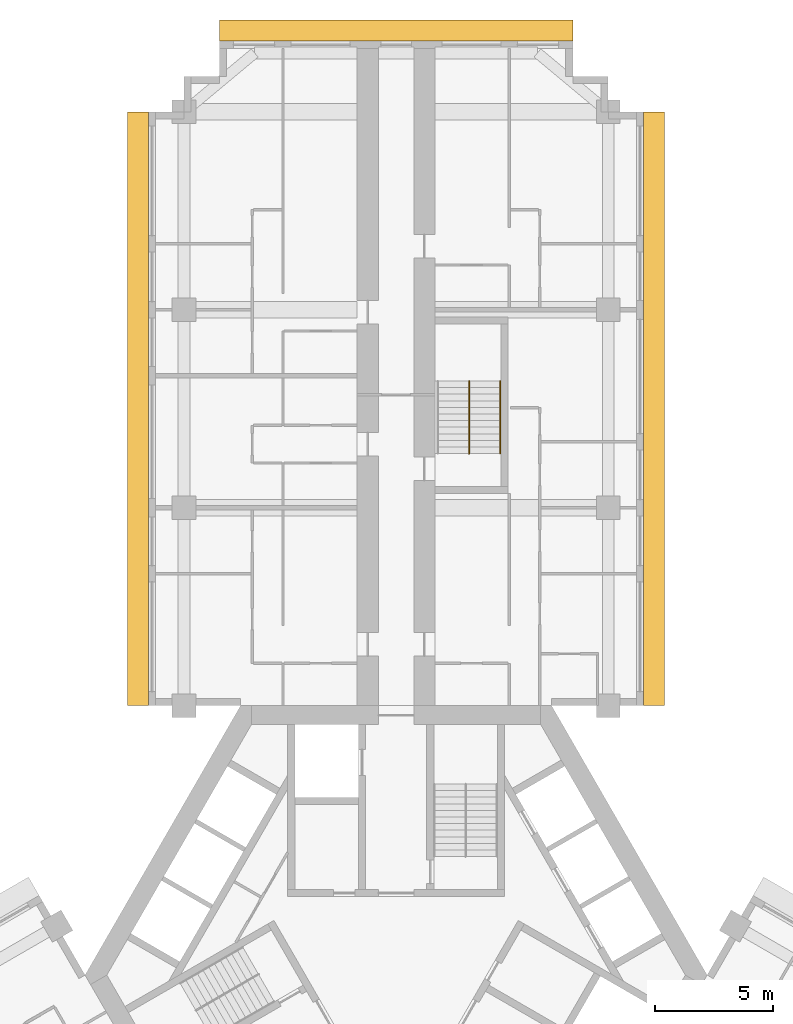
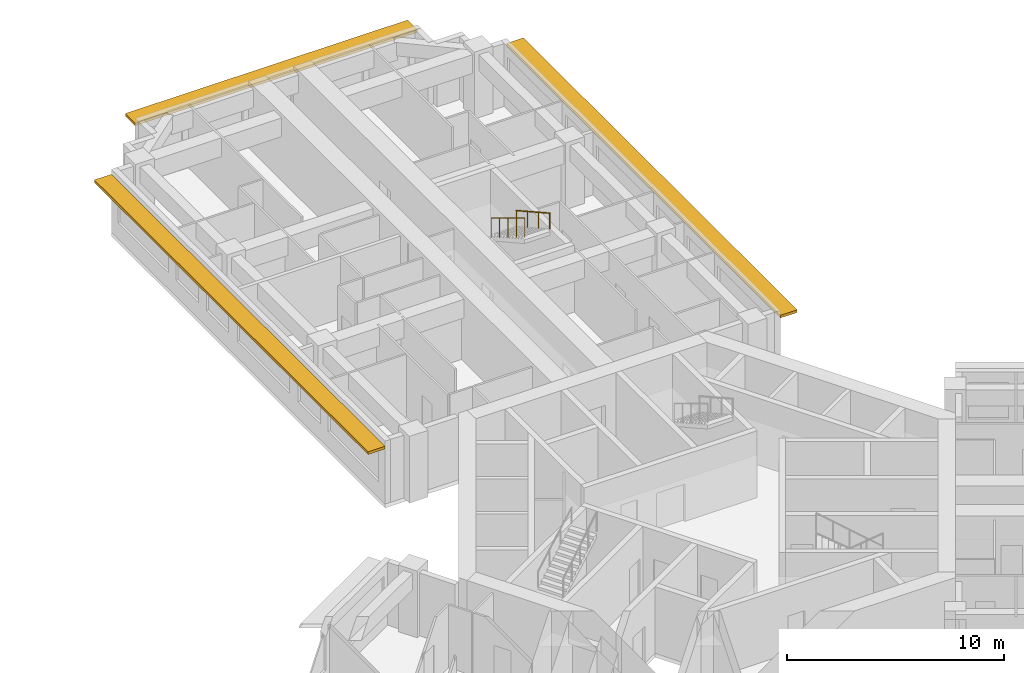
# One storey, part 15 of 15: 2 railings, 1 shading device.
"""IFC4 building model written with IfcOpenShell, lengths in metres."""

from ifc_helpers import new_model, si_unit, direction, frame, origin, origin_2d, place, context, subcontext, project, spatial, rectangle, circle, extrude, material, layer, layer_set, type_object, element, save


model = new_model("IFC4")

# Units and contexts
model_context = context("Model", 3, precision=1e-05, world=origin(), true_north=direction((0.0, 1.0)))
body_context = subcontext(model_context, "Body", "Model", "MODEL_VIEW")
ifc_project = project(units=[si_unit("LENGTHUNIT", "METRE"), si_unit("AREAUNIT", "SQUARE_METRE"), si_unit("VOLUMEUNIT", "CUBIC_METRE"), si_unit("PLANEANGLEUNIT", "RADIAN"), si_unit("MASSUNIT", "GRAM", prefix="KILO")], contexts=[model_context])

# Site, building, storey
site_placement = place(None, origin())
site = spatial("IfcSite", under=ifc_project, at=site_placement, CompositionType="ELEMENT")
building_placement = place(site_placement, origin())
building = spatial("IfcBuilding", under=site, at=building_placement, Name="Impinga Residences", CompositionType="ELEMENT")
storey_placement = place(building_placement, frame((0.0, 0.0, 132.25)))
storey = spatial("IfcBuildingStorey", under=building, at=storey_placement, Name="L32", CompositionType="ELEMENT", Elevation=132.25)

# Railings
ifc_material_1 = material(Name="Steel guard, powder coated", Category="steel")
railing_type_1 = type_object("IfcRailingType", Name="GR1 stair guard 1100", PredefinedType="GUARDRAIL", material=ifc_material_1)
railing_1_placement = place(storey_placement, frame((3.10009765625, 25.21142578125, 1.875)))
element("IfcRailing", 1, at=railing_1_placement, inside=storey, type_object=railing_type_1, Name="Stair guard GR1 WS1 L32", PredefinedType="GUARDRAIL", context=body_context, shape_type="SweptSolid", body=[
    extrude(circle(Radius=0.02392578125, at=origin_2d()), frame((0.0, 0.0, 1.076171875), z_axis=(0.0, -0.854159328187, 0.520011386482), x_axis=(1.0, 0.0, 0.0)), (0.0, 0.0, 1.0), 3.605712890625),
    extrude(circle(Radius=0.02099609375, at=origin_2d()), origin(), (0.0, 0.0, 1.0), 1.052001953125),
    extrude(circle(Radius=0.02099609375, at=origin_2d()), frame((0.0, -0.77001953125, 0.46875)), (0.0, 0.0, 1.0), 1.052001953125),
    extrude(circle(Radius=0.02099609375, at=origin_2d()), frame((0.0, -1.5400390625, 0.9375)), (0.0, 0.0, 1.0), 1.052001953125),
    extrude(circle(Radius=0.02099609375, at=origin_2d()), frame((0.0, -2.309814453125, 1.40625)), (0.0, 0.0, 1.0), 1.052001953125),
    extrude(circle(Radius=0.02099609375, at=origin_2d()), frame((0.0, -3.079833984375, 1.875)), (0.0, 0.0, 1.0), 1.052001953125),
])
ifc_material_2 = material(Name="Steel handrail tube 42 mm, powder coated", Category="steel")
railing_type_2 = type_object("IfcRailingType", Name="HR1 stair handrail, 42 mm steel tube, 900 above the pitch line", PredefinedType="HANDRAIL", material=ifc_material_2)
railing_2_placement = place(storey_placement, frame((4.428955078125, 25.21142578125, 2.03125)))
element("IfcRailing", 2, at=railing_2_placement, inside=storey, type_object=railing_type_2, Name="Stair handrail HR1 WS1 L32", PredefinedType="HANDRAIL", context=body_context, shape_type="SweptSolid", body=[
    extrude(circle(Radius=0.02099609375, at=origin_2d()), frame((0.0, 0.0, 0.87890625), z_axis=(0.0, -0.873225103656, 0.487317061414), x_axis=(1.0, 0.0, 0.0)), (0.0, 0.0, 1.0), 3.52685546875),
    extrude(circle(Radius=0.012451171875, at=origin_2d()), origin(), (0.0, 0.0, 1.0), 0.85791015625),
    extrude(circle(Radius=0.012451171875, at=origin_2d()), frame((0.0, -1.026611328125, 0.572998046875)), (0.0, 0.0, 1.0), 0.85791015625),
    extrude(circle(Radius=0.012451171875, at=origin_2d()), frame((0.0, -2.05322265625, 1.145751953125)), (0.0, 0.0, 1.0), 0.85791015625),
    extrude(circle(Radius=0.012451171875, at=origin_2d()), frame((0.0, -3.079833984375, 1.71875)), (0.0, 0.0, 1.0), 0.85791015625),
])

# Shading device
ifc_material_3 = material(Name="Terracotta sunshade blades on aluminium brackets", Category="masonry")
ifc_layer = layer(ifc_material_3, 0.14990234375)
ifc_layer_set = layer_set([ifc_layer], Name="SS1 SUNSHADE terracotta sunshade band 900")
shading_device_type = type_object("IfcShadingDeviceType", Name="SS1 SUNSHADE terracotta sunshade band 900", PredefinedType="USERDEFINED", material=ifc_layer_set)
shading_device_placement = place(storey_placement, frame((-10.949951171875, 24.031494140625, 3.10009765625), z_axis=(0.0, 0.0, 1.0), x_axis=(0.0, 1.0, 0.0)))
element("IfcShadingDevice", 3, at=shading_device_placement, inside=storey, type_object=shading_device_type, Name="SUNSHADE band L32 NORTH WING", ObjectType="SUNSHADE", PredefinedType="USERDEFINED", context=body_context, shape_type="SweptSolid", body=[
    extrude(rectangle(XDim=25.199951171875, YDim=0.89990234375, at=origin_2d()), origin(), (0.0, 0.0, 1.0), 0.14990234375),
    extrude(rectangle(XDim=15.0, YDim=0.89990234375, at=origin_2d()), frame((16.050048828125, -10.949951171875, 0.0), z_axis=(0.0, 0.0, 1.0), x_axis=(0.0, -1.0, 0.0)), (0.0, 0.0, 1.0), 0.14990234375),
    extrude(rectangle(XDim=25.199951171875, YDim=0.89990234375, at=origin_2d()), frame((0.0, -21.89990234375, 0.0), z_axis=(0.0, 0.0, 1.0), x_axis=(-1.0, 0.0, 0.0)), (0.0, 0.0, 1.0), 0.14990234375),
])

save(model, "model.ifc")
